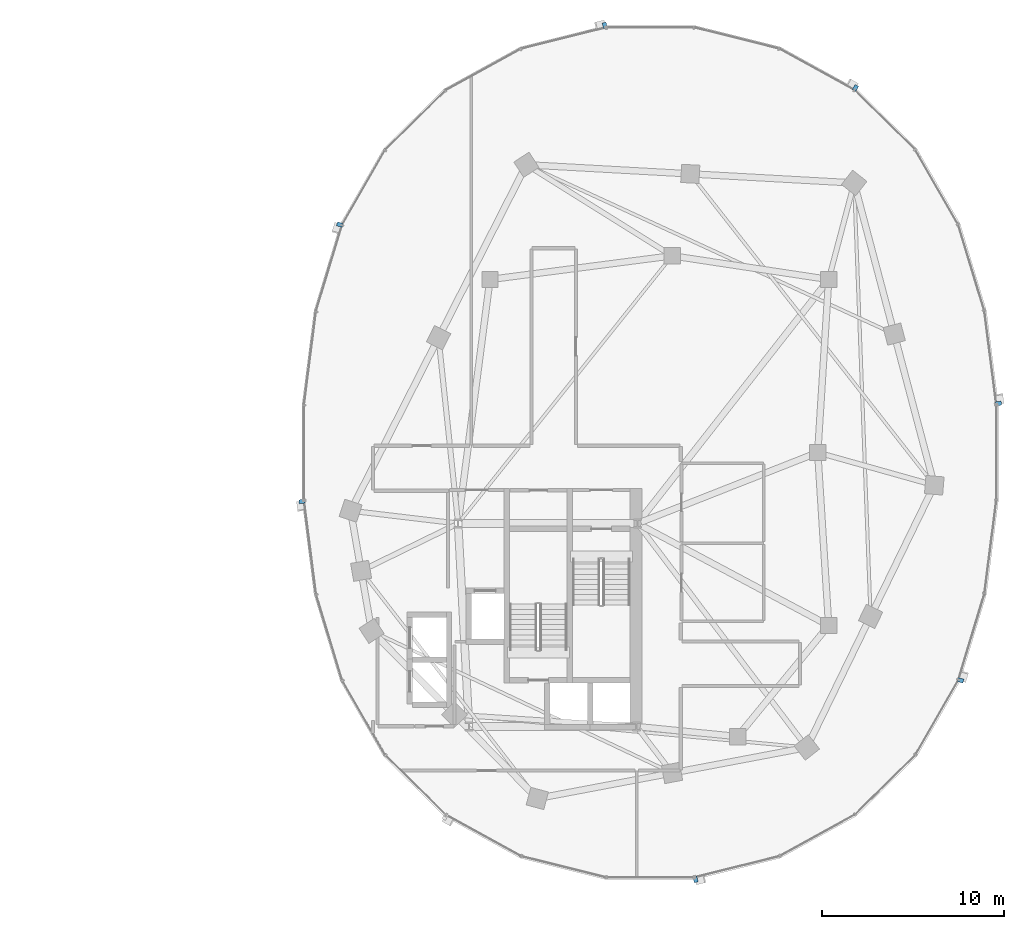
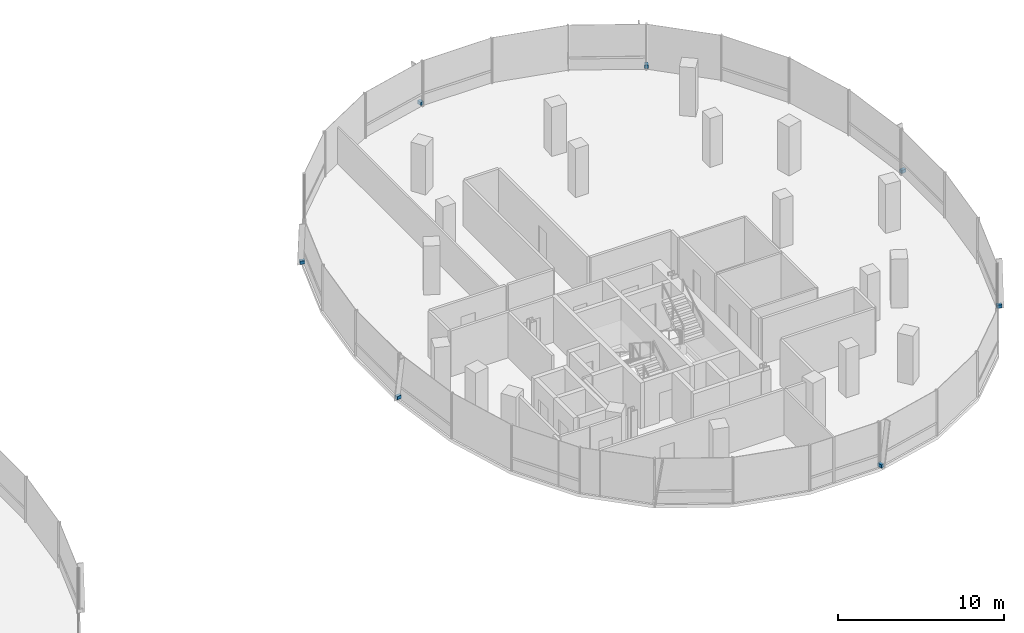
# One storey, part 16 of 21: 7 discrete accessories.
"""IFC4 building model written with IfcOpenShell, lengths in metres."""

from ifc_helpers import new_model, si_unit, direction, frame, origin, origin_2d, place, context, subcontext, project, spatial, rectangle, extrude, material, type_object, element, save


model = new_model("IFC4")

# Units and contexts
model_context = context("Model", 3, precision=1e-05, world=origin(), true_north=direction((0.0, 1.0)))
body_context = subcontext(model_context, "Body", "Model", "MODEL_VIEW")
ifc_project = project(units=[si_unit("LENGTHUNIT", "METRE"), si_unit("AREAUNIT", "SQUARE_METRE"), si_unit("VOLUMEUNIT", "CUBIC_METRE"), si_unit("PLANEANGLEUNIT", "RADIAN"), si_unit("MASSUNIT", "GRAM", prefix="KILO"), si_unit("THERMODYNAMICTEMPERATUREUNIT", "KELVIN"), si_unit("POWERUNIT", "WATT")], contexts=[model_context])

# Site, building, storey
site_placement = place(None, origin())
site = spatial("IfcSite", under=ifc_project, at=site_placement, CompositionType="ELEMENT")
building_placement = place(site_placement, origin())
building = spatial("IfcBuilding", under=site, at=building_placement, Name="Cundina Bronze Exchange", CompositionType="ELEMENT")
storey_placement = place(building_placement, frame((0.0, 0.0, 180.0)))
storey = spatial("IfcBuildingStorey", under=building, at=storey_placement, Name="L47", CompositionType="ELEMENT", Elevation=180.0)

# Discrete accessories
ifc_material = material(Name="Anodised Bronze Aluminium 6063-T6", Category="aluminium")
discrete_accessory_type = type_object("IfcDiscreteAccessoryType", Name="ACC-BRK-FIN", PredefinedType="BRACKET", material=ifc_material)
for number, where, z_axis, x_axis, name in (
    (1, (51.125732421875, 2.69189453125, 0.10009765625), (0.0, 0.0, 1.0), (-0.126475984253, 0.9919696696, 0.0), "L47 Fin Support Bracket 1"),
    (2, (43.266845703125, 20.015380859375, 0.10009765625), (0.0, 0.0, 1.0), (-0.875869093438, 0.482548786301, 0.0), "L47 Fin Support Bracket 5"),
    (3, (29.507080078125, 23.44970703125, 0.10009765625), (0.0, 0.0, 1.0), (-0.970092713791, -0.242734683656, 0.0), "L47 Fin Support Bracket 1"),
    (4, (14.9541015625, 12.511962890625, 0.10009765625), (0.0, 0.0, 1.0), (-0.290050843957, -0.957011237092, 0.0), "L47 Fin Support Bracket 5"),
    (5, (12.874267578125, -2.69189453125, 0.10009765625), (0.0, 0.0, 1.0), (0.126475984253, -0.9919696696, 0.0), "L47 Fin Support Bracket 1"),
    (6, (34.492919921875, -23.44970703125, 0.10009765625), (0.0, 0.0, 1.0), (0.970092713791, 0.242734683656, 0.0), "L47 Fin Support Bracket 1"),
    (7, (49.0458984375, -12.511962890625, 0.10009765625), (0.0, 0.0, 1.0), (0.290050843957, 0.957011237092, 0.0), "L47 Fin Support Bracket 5"),
):
    element("IfcDiscreteAccessory", number, at=place(storey_placement, frame(where, z_axis=z_axis, x_axis=x_axis)), inside=storey, type_object=discrete_accessory_type, Name=name, PredefinedType="BRACKET", context=body_context, shape_type="SweptSolid", body=[
        extrude(rectangle(XDim=0.219970703125, YDim=0.320068359375, at=origin_2d()), origin(), (0.0, 0.0, 1.0), 0.239990234375),
    ])

save(model, "model.ifc")
